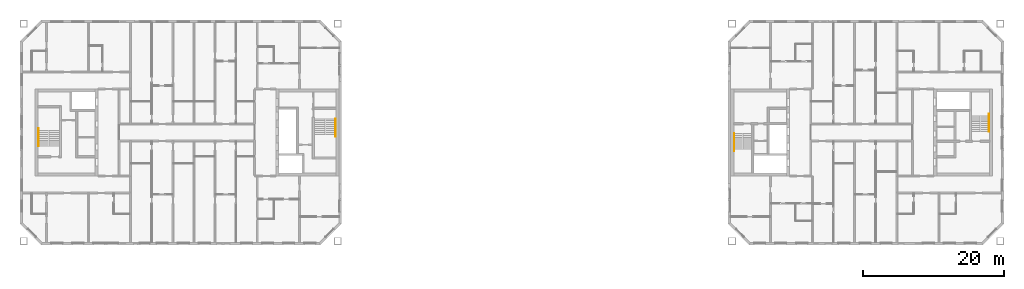
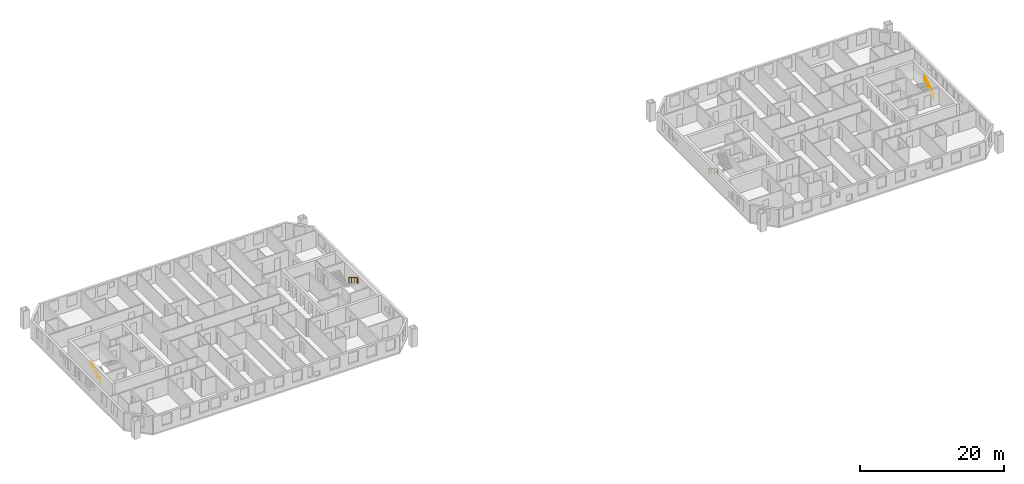
# One storey, part 15 of 15: 4 railings.
"""IFC4 building model written with IfcOpenShell, lengths in metres."""

from ifc_helpers import new_model, si_unit, direction, frame, origin, origin_2d, place, context, subcontext, project, spatial, circle, extrude, material, type_object, element, save


model = new_model("IFC4")

# Units and contexts
model_context = context("Model", 3, precision=1e-05, world=origin(), true_north=direction((0.0, 1.0)))
body_context = subcontext(model_context, "Body", "Model", "MODEL_VIEW")
ifc_project = project(units=[si_unit("LENGTHUNIT", "METRE"), si_unit("AREAUNIT", "SQUARE_METRE"), si_unit("VOLUMEUNIT", "CUBIC_METRE"), si_unit("PLANEANGLEUNIT", "RADIAN"), si_unit("MASSUNIT", "GRAM", prefix="KILO")], contexts=[model_context])

# Site, building, storey
site_placement = place(None, origin())
site = spatial("IfcSite", under=ifc_project, at=site_placement, CompositionType="ELEMENT")
building_placement = place(site_placement, origin())
building = spatial("IfcBuilding", under=site, at=building_placement, Name="Tuart Gate Housing", CompositionType="ELEMENT")
storey_placement = place(building_placement, frame((0.0, 0.0, 185.10009765625)))
storey = spatial("IfcBuildingStorey", under=building, at=storey_placement, Name="L52", CompositionType="ELEMENT", Elevation=185.10009765625)

# Railings
ifc_material = material(Name="Stainless steel", Category="steel")
railing_type = type_object("IfcRailingType", Name="Stair handrail 900", PredefinedType="HANDRAIL", material=ifc_material)
railing_1_placement = place(storey_placement, frame((75.1298828125, 71.949951171875, 0.172119140625)))
element("IfcRailing", 1, at=railing_1_placement, inside=storey, type_object=railing_type, Name="Stair handrail SA1.1", PredefinedType="HANDRAIL", context=body_context, shape_type="SweptSolid", body=[
    extrude(circle(Radius=0.02392578125, at=origin_2d()), frame((0.0, 0.0, 0.8759765625), z_axis=(0.0, -0.85178898068, 0.523885037382), x_axis=(1.0, 0.0, 0.0)), (0.0, 0.0, 1.0), 2.629638671875),
    extrude(circle(Radius=0.02392578125, at=origin_2d()), frame((0.0, -2.239990234375, 2.25341796875), z_axis=(0.0, -1.0, 0.0), x_axis=(1.0, 0.0, 0.0)), (0.0, 0.0, 1.0), 0.300048828125),
    extrude(circle(Radius=0.02099609375, at=origin_2d()), origin(), (0.0, 0.0, 1.0), 0.851806640625),
    extrude(circle(Radius=0.02099609375, at=origin_2d()), frame((0.0, -0.74658203125, 0.459228515625)), (0.0, 0.0, 1.0), 0.851806640625),
    extrude(circle(Radius=0.02099609375, at=origin_2d()), frame((0.0, -1.493408203125, 0.91845703125)), (0.0, 0.0, 1.0), 0.851806640625),
    extrude(circle(Radius=0.02099609375, at=origin_2d()), frame((0.0, -2.239990234375, 1.377685546875)), (0.0, 0.0, 1.0), 0.851806640625),
    extrude(circle(Radius=0.02099609375, at=origin_2d()), frame((0.0, -2.5400390625, 1.377685546875)), (0.0, 0.0, 1.0), 0.851806640625),
])
railing_2_placement = place(storey_placement, frame((32.8701171875, 68.050048828125, 0.172119140625)))
element("IfcRailing", 2, at=railing_2_placement, inside=storey, type_object=railing_type, Name="Stair handrail SA2.1", PredefinedType="HANDRAIL", context=body_context, shape_type="SweptSolid", body=[
    extrude(circle(Radius=0.02392578125, at=origin_2d()), frame((0.0, 0.0, 0.8759765625), z_axis=(0.0, 0.85178898068, 0.523885037382), x_axis=(-1.0, 0.0, 0.0)), (0.0, 0.0, 1.0), 2.629638671875),
    extrude(circle(Radius=0.02392578125, at=origin_2d()), frame((0.0, 2.239990234375, 2.25341796875), z_axis=(0.0, 1.0, 0.0), x_axis=(-1.0, 0.0, 0.0)), (0.0, 0.0, 1.0), 0.300048828125),
    extrude(circle(Radius=0.02099609375, at=origin_2d()), origin(), (0.0, 0.0, 1.0), 0.851806640625),
    extrude(circle(Radius=0.02099609375, at=origin_2d()), frame((0.0, 0.74658203125, 0.459228515625)), (0.0, 0.0, 1.0), 0.851806640625),
    extrude(circle(Radius=0.02099609375, at=origin_2d()), frame((0.0, 1.493408203125, 0.91845703125)), (0.0, 0.0, 1.0), 0.851806640625),
    extrude(circle(Radius=0.02099609375, at=origin_2d()), frame((0.0, 2.239990234375, 1.377685546875)), (0.0, 0.0, 1.0), 0.851806640625),
    extrude(circle(Radius=0.02099609375, at=origin_2d()), frame((0.0, 2.5400390625, 1.377685546875)), (0.0, 0.0, 1.0), 0.851806640625),
])
railing_3_placement = place(storey_placement, frame((131.8701171875, 69.875, 0.172119140625)))
element("IfcRailing", 3, at=railing_3_placement, inside=storey, type_object=railing_type, Name="Stair handrail SB1.1", PredefinedType="HANDRAIL", context=body_context, shape_type="SweptSolid", body=[
    extrude(circle(Radius=0.02392578125, at=origin_2d()), frame((0.0, 0.0, 0.8759765625), z_axis=(0.0, -0.85178898068, 0.523885037382), x_axis=(1.0, 0.0, 0.0)), (0.0, 0.0, 1.0), 2.629638671875),
    extrude(circle(Radius=0.02392578125, at=origin_2d()), frame((0.0, -2.239990234375, 2.25341796875), z_axis=(0.0, -1.0, 0.0), x_axis=(1.0, 0.0, 0.0)), (0.0, 0.0, 1.0), 0.300048828125),
    extrude(circle(Radius=0.02099609375, at=origin_2d()), origin(), (0.0, 0.0, 1.0), 0.851806640625),
    extrude(circle(Radius=0.02099609375, at=origin_2d()), frame((0.0, -0.74658203125, 0.459228515625)), (0.0, 0.0, 1.0), 0.851806640625),
    extrude(circle(Radius=0.02099609375, at=origin_2d()), frame((0.0, -1.493408203125, 0.91845703125)), (0.0, 0.0, 1.0), 0.851806640625),
    extrude(circle(Radius=0.02099609375, at=origin_2d()), frame((0.0, -2.239990234375, 1.377685546875)), (0.0, 0.0, 1.0), 0.851806640625),
    extrude(circle(Radius=0.02099609375, at=origin_2d()), frame((0.0, -2.5400390625, 1.377685546875)), (0.0, 0.0, 1.0), 0.851806640625),
])
railing_4_placement = place(storey_placement, frame((168.1298828125, 70.125, 0.172119140625)))
element("IfcRailing", 4, at=railing_4_placement, inside=storey, type_object=railing_type, Name="Stair handrail SB2.1", PredefinedType="HANDRAIL", context=body_context, shape_type="SweptSolid", body=[
    extrude(circle(Radius=0.02392578125, at=origin_2d()), frame((0.0, 0.0, 0.8759765625), z_axis=(0.0, 0.85178898068, 0.523885037382), x_axis=(-1.0, 0.0, 0.0)), (0.0, 0.0, 1.0), 2.629638671875),
    extrude(circle(Radius=0.02392578125, at=origin_2d()), frame((0.0, 2.239990234375, 2.25341796875), z_axis=(0.0, 1.0, 0.0), x_axis=(-1.0, 0.0, 0.0)), (0.0, 0.0, 1.0), 0.300048828125),
    extrude(circle(Radius=0.02099609375, at=origin_2d()), origin(), (0.0, 0.0, 1.0), 0.851806640625),
    extrude(circle(Radius=0.02099609375, at=origin_2d()), frame((0.0, 0.74658203125, 0.459228515625)), (0.0, 0.0, 1.0), 0.851806640625),
    extrude(circle(Radius=0.02099609375, at=origin_2d()), frame((0.0, 1.493408203125, 0.91845703125)), (0.0, 0.0, 1.0), 0.851806640625),
    extrude(circle(Radius=0.02099609375, at=origin_2d()), frame((0.0, 2.239990234375, 1.377685546875)), (0.0, 0.0, 1.0), 0.851806640625),
    extrude(circle(Radius=0.02099609375, at=origin_2d()), frame((0.0, 2.5400390625, 1.377685546875)), (0.0, 0.0, 1.0), 0.851806640625),
])

save(model, "model.ifc")
